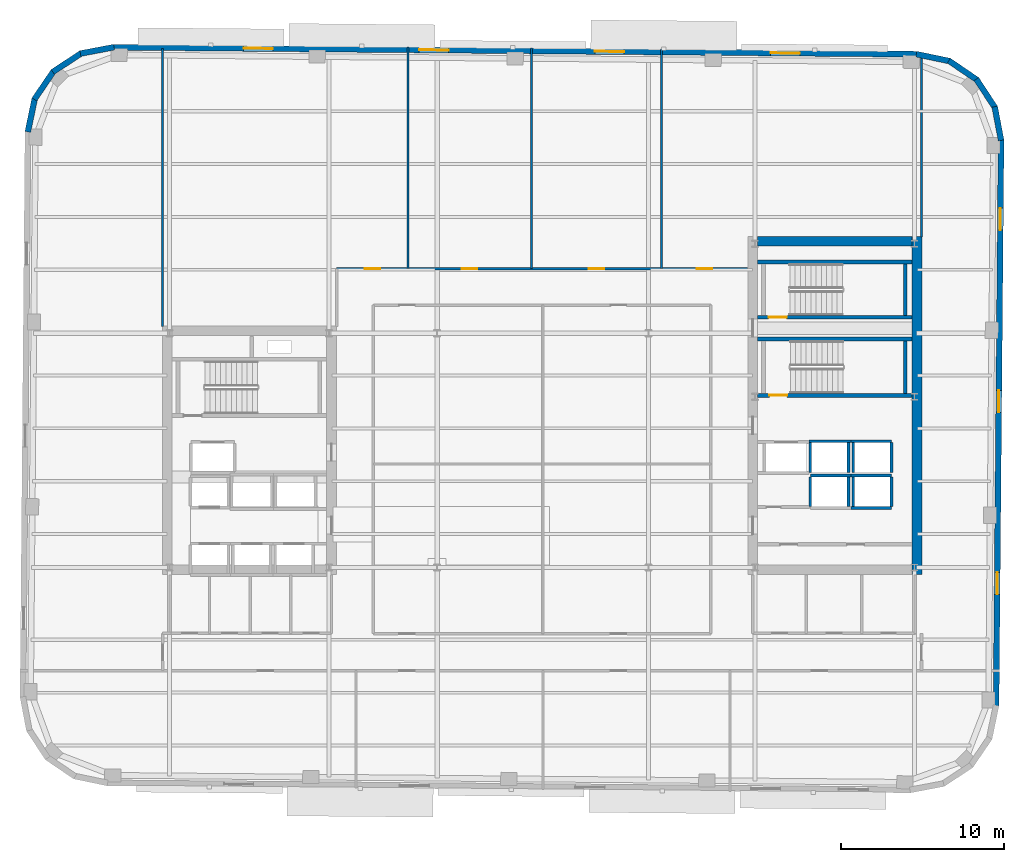
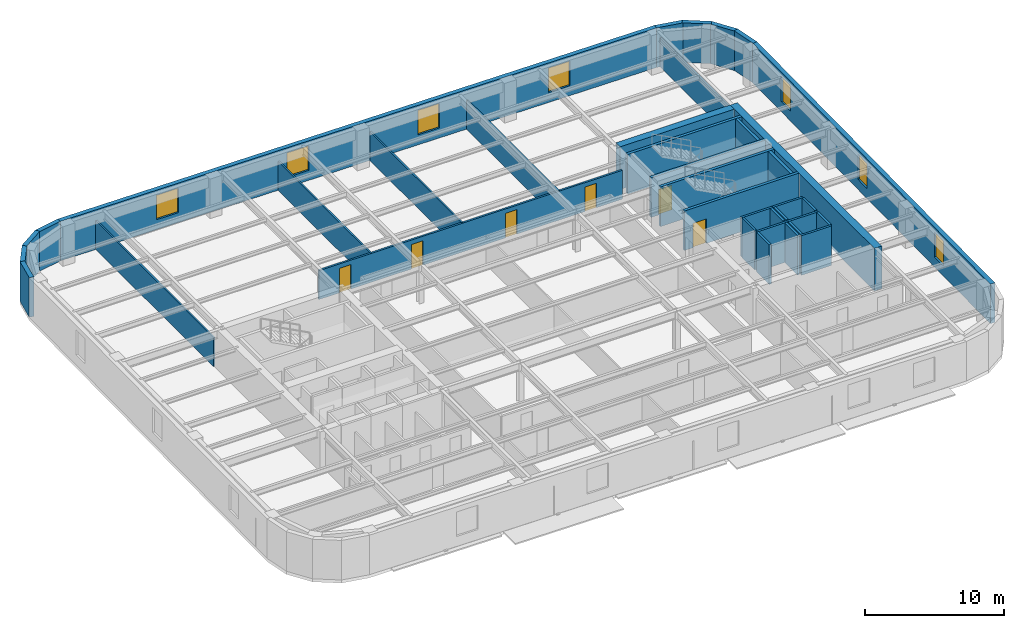
# One storey, part 6 of 11: 37 walls, 7 windows, 6 doors, 13 openings.
"""IFC4 building model written with IfcOpenShell, lengths in metres."""

from ifc_helpers import new_model, si_unit, direction, frame, frame_2d, origin, place, context, subcontext, project, spatial, rectangle, extrude, material, layer, layer_set, type_object, element, fill, save


model = new_model("IFC4")

# Units and contexts
model_context = context("Model", 3, precision=1e-05, world=origin(), true_north=direction((0.0, 1.0)))
body_context = subcontext(model_context, "Body", "Model", "MODEL_VIEW")
ifc_project = project(units=[si_unit("LENGTHUNIT", "METRE"), si_unit("AREAUNIT", "SQUARE_METRE"), si_unit("VOLUMEUNIT", "CUBIC_METRE"), si_unit("PLANEANGLEUNIT", "RADIAN"), si_unit("MASSUNIT", "GRAM", prefix="KILO")], contexts=[model_context])

# Site, building, storey
site_placement = place(None, origin())
site = spatial("IfcSite", under=ifc_project, at=site_placement, CompositionType="ELEMENT")
building_placement = place(site_placement, origin())
building = spatial("IfcBuilding", under=site, at=building_placement, Name="Kolvaren Arena Tower", CompositionType="ELEMENT")
storey_placement = place(building_placement, frame((0.0, 0.0, 203.449951171875)))
storey = spatial("IfcBuildingStorey", under=building, at=storey_placement, Name="L49", CompositionType="ELEMENT", Elevation=203.449951171875)

# Wall, openings, doors
ifc_material_1 = material(Name="Gypsum board acoustic assembly", Category="gypsum")
ifc_layer_1 = layer(ifc_material_1, 0.159912109375)
ifc_layer_set_1 = layer_set([ifc_layer_1], Name="Gypsum board acoustic assembly")
wall_type_1 = type_object("IfcWallType", Name="CORR-160", PredefinedType="PARTITIONING", material=ifc_layer_set_1)
wall_1_placement = place(storey_placement, frame((24.820068359375, 37.820068359375, 0.0), z_axis=(0.0, 0.0, 1.0), x_axis=(1.0, 0.0, 0.0)))
wall_1 = element("IfcWall", 1, at=wall_1_placement, inside=storey, type_object=wall_type_1, Name="Interior Partition Wall (L49)", PredefinedType="PARTITIONING", context=body_context, shape_type="SweptSolid", body=[
    extrude(rectangle(XDim=25.260009765625, YDim=0.159912109375, at=frame_2d((12.6298828125, 0.0))), origin(), (0.0, 0.0, 1.0), 2.5400390625),
])
opening_1_placement = place(wall_1_placement, frame((1.72998046875, 0.0, 0.0)))
opening_1 = element("IfcOpeningElement", 2, at=opening_1_placement, cuts=wall_1, Name="Opening D05", PredefinedType="OPENING", context=body_context, shape_type="SweptSolid", body=[
    extrude(rectangle(XDim=0.949951171875, YDim=2.14990234375, at=frame_2d((0.47509765625, 1.074951171875))), frame((0.0, 0.08984375, 0.0), z_axis=(0.0, -1.0, 0.0), x_axis=(1.0, 0.0, 0.0)), (0.0, 0.0, 1.0), 0.179931640625),
])
opening_2_placement = place(wall_1_placement, frame((7.705078125, 0.0, 0.0)))
opening_2 = element("IfcOpeningElement", 3, at=opening_2_placement, cuts=wall_1, Name="Opening D05", PredefinedType="OPENING", context=body_context, shape_type="SweptSolid", body=[
    extrude(rectangle(XDim=0.949951171875, YDim=2.14990234375, at=frame_2d((0.47509765625, 1.074951171875))), frame((0.0, 0.08984375, 0.0), z_axis=(0.0, -1.0, 0.0), x_axis=(1.0, 0.0, 0.0)), (0.0, 0.0, 1.0), 0.179931640625),
])
opening_3_placement = place(wall_1_placement, frame((15.5048828125, 0.0, 0.0)))
opening_3 = element("IfcOpeningElement", 4, at=opening_3_placement, cuts=wall_1, Name="Opening D05", PredefinedType="OPENING", context=body_context, shape_type="SweptSolid", body=[
    extrude(rectangle(XDim=0.949951171875, YDim=2.14990234375, at=frame_2d((0.47509765625, 1.074951171875))), frame((0.0, 0.08984375, 0.0), z_axis=(0.0, -1.0, 0.0), x_axis=(1.0, 0.0, 0.0)), (0.0, 0.0, 1.0), 0.179931640625),
])
opening_4_placement = place(wall_1_placement, frame((22.1298828125, 0.0, 0.0)))
opening_4 = element("IfcOpeningElement", 5, at=opening_4_placement, cuts=wall_1, Name="Opening D05", PredefinedType="OPENING", context=body_context, shape_type="SweptSolid", body=[
    extrude(rectangle(XDim=0.949951171875, YDim=2.14990234375, at=frame_2d((0.47509765625, 1.074951171875))), frame((0.0, 0.08984375, 0.0), z_axis=(0.0, -1.0, 0.0), x_axis=(1.0, 0.0, 0.0)), (0.0, 0.0, 1.0), 0.179931640625),
])
ifc_material_2 = material(Name="Solid-core oak acoustic office door", Category="wood")
door_type_1 = type_object("IfcDoorType", Name="DOOR-OF-095", OperationType="NOTDEFINED", PredefinedType="DOOR", material=ifc_material_2)
door_1_placement = place(opening_1_placement, origin())
door_1 = element("IfcDoor", 6, at=door_1_placement, inside=storey, type_object=door_type_1, Name="Corporate Project Office Door (L49)", OperationType="SINGLE_SWING_LEFT", OverallHeight=2.14990234375, OverallWidth=0.949951171875, PredefinedType="DOOR", context=body_context, shape_type="SweptSolid", body=[
    extrude(rectangle(XDim=0.949951171875, YDim=2.14990234375, at=frame_2d((0.47509765625, 1.074951171875))), frame((0.0, 0.02490234375, 0.0), z_axis=(0.0, -1.0, 0.0), x_axis=(1.0, 0.0, 0.0)), (0.0, 0.0, 1.0), 0.050048828125),
])
fill(opening_1, door_1)
door_2_placement = place(opening_2_placement, origin())
door_2 = element("IfcDoor", 7, at=door_2_placement, inside=storey, type_object=door_type_1, Name="Breakout Pantry and Kitchen Door (L49)", OperationType="SINGLE_SWING_RIGHT", OverallHeight=2.14990234375, OverallWidth=0.949951171875, PredefinedType="DOOR", context=body_context, shape_type="SweptSolid", body=[
    extrude(rectangle(XDim=0.949951171875, YDim=2.14990234375, at=frame_2d((0.47509765625, 1.074951171875))), frame((0.0, 0.02490234375, 0.0), z_axis=(0.0, -1.0, 0.0), x_axis=(1.0, 0.0, 0.0)), (0.0, 0.0, 1.0), 0.050048828125),
])
fill(opening_2, door_2)
door_3_placement = place(opening_3_placement, origin())
door_3 = element("IfcDoor", 8, at=door_3_placement, inside=storey, type_object=door_type_1, Name="Design Studio Door (L49)", OperationType="SINGLE_SWING_LEFT", OverallHeight=2.14990234375, OverallWidth=0.949951171875, PredefinedType="DOOR", context=body_context, shape_type="SweptSolid", body=[
    extrude(rectangle(XDim=0.949951171875, YDim=2.14990234375, at=frame_2d((0.47509765625, 1.074951171875))), frame((0.0, 0.02490234375, 0.0), z_axis=(0.0, -1.0, 0.0), x_axis=(1.0, 0.0, 0.0)), (0.0, 0.0, 1.0), 0.050048828125),
])
fill(opening_3, door_3)
door_4_placement = place(opening_4_placement, origin())
door_4 = element("IfcDoor", 9, at=door_4_placement, inside=storey, type_object=door_type_1, Name="Design Studio Door (L49)", OperationType="SINGLE_SWING_RIGHT", OverallHeight=2.14990234375, OverallWidth=0.949951171875, PredefinedType="DOOR", context=body_context, shape_type="SweptSolid", body=[
    extrude(rectangle(XDim=0.949951171875, YDim=2.14990234375, at=frame_2d((0.47509765625, 1.074951171875))), frame((0.0, 0.02490234375, 0.0), z_axis=(0.0, -1.0, 0.0), x_axis=(1.0, 0.0, 0.0)), (0.0, 0.0, 1.0), 0.050048828125),
])
fill(opening_4, door_4)

# Walls
ifc_material_3 = material(Name="Concrete 60 MPa", Category="concrete")
ifc_layer_2 = layer(ifc_material_3, 0.60009765625)
ifc_layer_set_2 = layer_set([ifc_layer_2], Name="Concrete 60 MPa")
wall_type_2 = type_object("IfcWallType", Name="CWALL-600", PredefinedType="SHEAR", material=ifc_layer_set_2)
wall_2_placement = place(storey_placement, frame((60.5, 19.0, -0.27001953125), z_axis=(0.0, 0.0, 1.0), x_axis=(0.0, 1.0, 0.0)))
element("IfcWall", 10, at=wall_2_placement, inside=storey, type_object=wall_type_2, Name="Core Shear Wall EC-EAST (L49)", PredefinedType="SHEAR", context=body_context, shape_type="SweptSolid", body=[
    extrude(rectangle(XDim=20.800048828125, YDim=0.60009765625, at=frame_2d((10.39990234375, 0.0))), origin(), (0.0, 0.0, 1.0), 3.75),
])
wall_3_placement = place(storey_placement, frame((50.699951171875, 39.5, -0.27001953125), z_axis=(0.0, 0.0, 1.0), x_axis=(1.0, 0.0, 0.0)))
element("IfcWall", 11, at=wall_3_placement, inside=storey, type_object=wall_type_2, Name="Core Shear Wall EC-NORTH (L49)", PredefinedType="SHEAR", context=body_context, shape_type="SweptSolid", body=[
    extrude(rectangle(XDim=9.5, YDim=0.60009765625, at=frame_2d((4.75, 0.0))), origin(), (0.0, 0.0, 1.0), 3.75),
])

# Wall, openings, windows
ifc_material_4 = material(Name="Precast concrete C50/60", Category="concrete")
ifc_layer_3 = layer(ifc_material_4, 0.360107421875)
ifc_layer_set_3 = layer_set([ifc_layer_3], Name="Precast concrete C50/60")
wall_type_3 = type_object("IfcWallType", Name="EXT-PIER2", PredefinedType="SOLIDWALL", material=ifc_layer_set_3)
wall_4_placement = place(storey_placement, frame((65.670654296875, 45.73828125, 0.0), z_axis=(0.0, 0.0, 1.0), x_axis=(-0.008727348535, -0.999961915969, 0.0)))
wall_4 = element("IfcWall", 12, at=wall_4_placement, inside=storey, type_object=wall_type_3, Name="Exterior Precast Masonry-Frame Wall (L49)", PredefinedType="SOLIDWALL", context=body_context, shape_type="SweptSolid", body=[
    extrude(rectangle(XDim=34.7998046875, YDim=0.360107421875, at=frame_2d((17.39990234375, 0.0))), origin(), (0.0, 0.0, 1.0), 3.47998046875),
])
opening_5_placement = place(wall_4_placement, frame((4.199951171875, 0.0, 0.8798828125)))
opening_5 = element("IfcOpeningElement", 13, at=opening_5_placement, cuts=wall_4, Name="Opening W04", PredefinedType="OPENING", context=body_context, shape_type="SweptSolid", body=[
    extrude(rectangle(XDim=1.35009765625, YDim=2.199951171875, at=frame_2d((0.675048828125, 1.10009765625))), frame((0.0, 0.18994140625, 0.0), z_axis=(0.0, -1.0, 0.0), x_axis=(1.0, 0.0, 0.0)), (0.0, 0.0, 1.0), 0.380126953125),
])
opening_6_placement = place(wall_4_placement, frame((15.39990234375, 0.0, 0.8798828125)))
opening_6 = element("IfcOpeningElement", 14, at=opening_6_placement, cuts=wall_4, Name="Opening W04", PredefinedType="OPENING", context=body_context, shape_type="SweptSolid", body=[
    extrude(rectangle(XDim=1.35009765625, YDim=2.199951171875, at=frame_2d((0.675048828125, 1.10009765625))), frame((0.0, 0.18994140625, 0.0), z_axis=(0.0, -1.0, 0.0), x_axis=(1.0, 0.0, 0.0)), (0.0, 0.0, 1.0), 0.380126953125),
])
opening_7_placement = place(wall_4_placement, frame((26.60009765625, 0.0, 0.8798828125)))
opening_7 = element("IfcOpeningElement", 15, at=opening_7_placement, cuts=wall_4, Name="Opening W04", PredefinedType="OPENING", context=body_context, shape_type="SweptSolid", body=[
    extrude(rectangle(XDim=1.35009765625, YDim=2.199951171875, at=frame_2d((0.675048828125, 1.10009765625))), frame((0.0, 0.18994140625, 0.0), z_axis=(0.0, -1.0, 0.0), x_axis=(1.0, 0.0, 0.0)), (0.0, 0.0, 1.0), 0.380126953125),
])
ifc_material_5 = material(Name="Triple-glazed curved-facet corner window", Category="glass")
window_type_1 = type_object("IfcWindowType", Name="WIN-CRN-A", PartitioningType="SINGLE_PANEL", PredefinedType="WINDOW", material=ifc_material_5)
window_1_placement = place(opening_5_placement, origin())
window_1 = element("IfcWindow", 16, at=window_1_placement, inside=storey, type_object=window_type_1, Name="End-Wall Punched Window (L49)", OverallHeight=2.199951171875, OverallWidth=1.35009765625, PartitioningType="SINGLE_PANEL", PredefinedType="WINDOW", context=body_context, shape_type="SweptSolid", body=[
    extrude(rectangle(XDim=1.35009765625, YDim=2.199951171875, at=frame_2d((0.675048828125, 1.10009765625))), frame((0.0, 0.030029296875, 0.0), z_axis=(0.0, -1.0, 0.0), x_axis=(1.0, 0.0, 0.0)), (0.0, 0.0, 1.0), 0.06005859375),
])
fill(opening_5, window_1)
window_2_placement = place(opening_6_placement, origin())
window_2 = element("IfcWindow", 17, at=window_2_placement, inside=storey, type_object=window_type_1, Name="End-Wall Punched Window (L49)", OverallHeight=2.199951171875, OverallWidth=1.35009765625, PartitioningType="SINGLE_PANEL", PredefinedType="WINDOW", context=body_context, shape_type="SweptSolid", body=[
    extrude(rectangle(XDim=1.35009765625, YDim=2.199951171875, at=frame_2d((0.675048828125, 1.10009765625))), frame((0.0, 0.030029296875, 0.0), z_axis=(0.0, -1.0, 0.0), x_axis=(1.0, 0.0, 0.0)), (0.0, 0.0, 1.0), 0.06005859375),
])
fill(opening_6, window_2)
window_3_placement = place(opening_7_placement, origin())
window_3 = element("IfcWindow", 18, at=window_3_placement, inside=storey, type_object=window_type_1, Name="End-Wall Punched Window (L49)", OverallHeight=2.199951171875, OverallWidth=1.35009765625, PartitioningType="SINGLE_PANEL", PredefinedType="WINDOW", context=body_context, shape_type="SweptSolid", body=[
    extrude(rectangle(XDim=1.35009765625, YDim=2.199951171875, at=frame_2d((0.675048828125, 1.10009765625))), frame((0.0, 0.030029296875, 0.0), z_axis=(0.0, -1.0, 0.0), x_axis=(1.0, 0.0, 0.0)), (0.0, 0.0, 1.0), 0.06005859375),
])
fill(opening_7, window_3)

# Walls
wall_5_placement = place(storey_placement, frame((65.281005859375, 47.773193359375, 0.0), z_axis=(0.0, 0.0, 1.0), x_axis=(0.186435855703, -0.98246713518, 0.0)))
element("IfcWall", 19, at=wall_5_placement, inside=storey, type_object=wall_type_3, Name="Exterior Precast Masonry-Frame Wall (L49)", PredefinedType="SOLIDWALL", context=body_context, shape_type="SweptSolid", body=[
    extrude(rectangle(XDim=2.10693359375, YDim=0.360107421875, at=frame_2d((1.053466796875, 0.0))), origin(), (0.0, 0.0, 1.0), 3.47998046875),
])
wall_6_placement = place(storey_placement, frame((64.152099609375, 49.469970703125, 0.0), z_axis=(0.0, 0.0, 1.0), x_axis=(0.548238722478, -0.83632188969, 0.0)))
element("IfcWall", 20, at=wall_6_placement, inside=storey, type_object=wall_type_3, Name="Exterior Precast Masonry-Frame Wall (L49)", PredefinedType="SOLIDWALL", context=body_context, shape_type="SweptSolid", body=[
    extrude(rectangle(XDim=2.106689453125, YDim=0.360107421875, at=frame_2d((1.05322265625, 0.0))), origin(), (0.0, 0.0, 1.0), 3.47998046875),
])
wall_7_placement = place(storey_placement, frame((62.45947265625, 50.605712890625, 0.0), z_axis=(0.0, 0.0, 1.0), x_axis=(0.826609569219, -0.56277581689, 0.0)))
element("IfcWall", 21, at=wall_7_placement, inside=storey, type_object=wall_type_3, Name="Exterior Precast Masonry-Frame Wall (L49)", PredefinedType="SOLIDWALL", context=body_context, shape_type="SweptSolid", body=[
    extrude(rectangle(XDim=2.10693359375, YDim=0.360107421875, at=frame_2d((1.053466796875, 0.0))), origin(), (0.0, 0.0, 1.0), 3.47998046875),
])
wall_8_placement = place(storey_placement, frame((60.461181640625, 51.00732421875, 0.0), z_axis=(0.0, 0.0, 1.0), x_axis=(0.979059388908, -0.203574833883, 0.0)))
element("IfcWall", 22, at=wall_8_placement, inside=storey, type_object=wall_type_3, Name="Exterior Precast Masonry-Frame Wall (L49)", PredefinedType="SOLIDWALL", context=body_context, shape_type="SweptSolid", body=[
    extrude(rectangle(XDim=2.107177734375, YDim=0.360107421875, at=frame_2d((1.0537109375, 0.0))), origin(), (0.0, 0.0, 1.0), 3.47998046875),
])

# Wall, openings, windows
wall_9_placement = place(storey_placement, frame((11.098388671875, 51.434814453125, 0.0), z_axis=(0.0, 0.0, 1.0), x_axis=(0.99996191194, -0.008727810138, 0.0)))
wall_9 = element("IfcWall", 23, at=wall_9_placement, inside=storey, type_object=wall_type_3, Name="Exterior Precast Masonry-Frame Wall (L49)", PredefinedType="SOLIDWALL", context=body_context, shape_type="SweptSolid", body=[
    extrude(rectangle(XDim=49.39990234375, YDim=0.360107421875, at=frame_2d((24.699951171875, 0.0))), origin(), (0.0, 0.0, 1.0), 3.47998046875),
])
opening_8_placement = place(wall_9_placement, frame((8.0, 0.0, 0.8798828125)))
opening_8 = element("IfcOpeningElement", 24, at=opening_8_placement, cuts=wall_9, Name="Opening W02", PredefinedType="OPENING", context=body_context, shape_type="SweptSolid", body=[
    extrude(rectangle(XDim=1.800048828125, YDim=2.14990234375, at=frame_2d((0.89990234375, 1.074951171875))), frame((0.0, 0.18994140625, 0.0), z_axis=(0.0, -1.0, 0.0), x_axis=(1.0, 0.0, 0.0)), (0.0, 0.0, 1.0), 0.380126953125),
])
opening_9_placement = place(wall_9_placement, frame((18.800048828125, 0.0, 0.8798828125)))
opening_9 = element("IfcOpeningElement", 25, at=opening_9_placement, cuts=wall_9, Name="Opening W02", PredefinedType="OPENING", context=body_context, shape_type="SweptSolid", body=[
    extrude(rectangle(XDim=1.800048828125, YDim=2.14990234375, at=frame_2d((0.89990234375, 1.074951171875))), frame((0.0, 0.18994140625, 0.0), z_axis=(0.0, -1.0, 0.0), x_axis=(1.0, 0.0, 0.0)), (0.0, 0.0, 1.0), 0.380126953125),
])
opening_10_placement = place(wall_9_placement, frame((29.60009765625, 0.0, 0.8798828125)))
opening_10 = element("IfcOpeningElement", 26, at=opening_10_placement, cuts=wall_9, Name="Opening W02", PredefinedType="OPENING", context=body_context, shape_type="SweptSolid", body=[
    extrude(rectangle(XDim=1.800048828125, YDim=2.14990234375, at=frame_2d((0.89990234375, 1.074951171875))), frame((0.0, 0.18994140625, 0.0), z_axis=(0.0, -1.0, 0.0), x_axis=(1.0, 0.0, 0.0)), (0.0, 0.0, 1.0), 0.380126953125),
])
opening_11_placement = place(wall_9_placement, frame((40.39990234375, 0.0, 0.8798828125)))
opening_11 = element("IfcOpeningElement", 27, at=opening_11_placement, cuts=wall_9, Name="Opening W02", PredefinedType="OPENING", context=body_context, shape_type="SweptSolid", body=[
    extrude(rectangle(XDim=1.800048828125, YDim=2.14990234375, at=frame_2d((0.89990234375, 1.074951171875))), frame((0.0, 0.18994140625, 0.0), z_axis=(0.0, -1.0, 0.0), x_axis=(1.0, 0.0, 0.0)), (0.0, 0.0, 1.0), 0.380126953125),
])
ifc_material_6 = material(Name="Triple-glazed low-E aluminium window", Category="aluminium")
window_type_2 = type_object("IfcWindowType", Name="WIN-OFF-B", PartitioningType="DOUBLE_PANEL_VERTICAL", PredefinedType="WINDOW", material=ifc_material_6)
window_4_placement = place(opening_8_placement, origin())
window_4 = element("IfcWindow", 28, at=window_4_placement, inside=storey, type_object=window_type_2, Name="Punched Precast-Pier Window (L49)", OverallHeight=2.14990234375, OverallWidth=1.800048828125, PartitioningType="DOUBLE_PANEL_VERTICAL", PredefinedType="WINDOW", context=body_context, shape_type="SweptSolid", body=[
    extrude(rectangle(XDim=1.800048828125, YDim=2.14990234375, at=frame_2d((0.89990234375, 1.074951171875))), frame((0.0, 0.030029296875, 0.0), z_axis=(0.0, -1.0, 0.0), x_axis=(1.0, 0.0, 0.0)), (0.0, 0.0, 1.0), 0.06005859375),
])
fill(opening_8, window_4)
window_5_placement = place(opening_9_placement, origin())
window_5 = element("IfcWindow", 29, at=window_5_placement, inside=storey, type_object=window_type_2, Name="Punched Precast-Pier Window (L49)", OverallHeight=2.14990234375, OverallWidth=1.800048828125, PartitioningType="DOUBLE_PANEL_VERTICAL", PredefinedType="WINDOW", context=body_context, shape_type="SweptSolid", body=[
    extrude(rectangle(XDim=1.800048828125, YDim=2.14990234375, at=frame_2d((0.89990234375, 1.074951171875))), frame((0.0, 0.030029296875, 0.0), z_axis=(0.0, -1.0, 0.0), x_axis=(1.0, 0.0, 0.0)), (0.0, 0.0, 1.0), 0.06005859375),
])
fill(opening_9, window_5)
window_6_placement = place(opening_10_placement, origin())
window_6 = element("IfcWindow", 30, at=window_6_placement, inside=storey, type_object=window_type_2, Name="Punched Precast-Pier Window (L49)", OverallHeight=2.14990234375, OverallWidth=1.800048828125, PartitioningType="DOUBLE_PANEL_VERTICAL", PredefinedType="WINDOW", context=body_context, shape_type="SweptSolid", body=[
    extrude(rectangle(XDim=1.800048828125, YDim=2.14990234375, at=frame_2d((0.89990234375, 1.074951171875))), frame((0.0, 0.030029296875, 0.0), z_axis=(0.0, -1.0, 0.0), x_axis=(1.0, 0.0, 0.0)), (0.0, 0.0, 1.0), 0.06005859375),
])
fill(opening_10, window_6)
window_7_placement = place(opening_11_placement, origin())
window_7 = element("IfcWindow", 31, at=window_7_placement, inside=storey, type_object=window_type_2, Name="Punched Precast-Pier Window (L49)", OverallHeight=2.14990234375, OverallWidth=1.800048828125, PartitioningType="DOUBLE_PANEL_VERTICAL", PredefinedType="WINDOW", context=body_context, shape_type="SweptSolid", body=[
    extrude(rectangle(XDim=1.800048828125, YDim=2.14990234375, at=frame_2d((0.89990234375, 1.074951171875))), frame((0.0, 0.030029296875, 0.0), z_axis=(0.0, -1.0, 0.0), x_axis=(1.0, 0.0, 0.0)), (0.0, 0.0, 1.0), 0.06005859375),
])
fill(opening_11, window_7)

# Walls
wall_10_placement = place(storey_placement, frame((9.0634765625, 51.044921875, 0.0), z_axis=(0.0, 0.0, 1.0), x_axis=(0.982445905584, 0.186547695246, 0.0)))
element("IfcWall", 32, at=wall_10_placement, inside=storey, type_object=wall_type_3, Name="Exterior Precast Masonry-Frame Wall (L49)", PredefinedType="SOLIDWALL", context=body_context, shape_type="SweptSolid", body=[
    extrude(rectangle(XDim=2.107177734375, YDim=0.360107421875, at=frame_2d((1.0537109375, 0.0))), origin(), (0.0, 0.0, 1.0), 3.47998046875),
])
for number, where, z_axis, x_axis, name in (
    (33, (7.36669921875, 49.916015625, 0.0), (0.0, 0.0, 1.0), (0.836268756678, 0.548319766745, 0.0), "Exterior Precast Masonry-Frame Wall (L49)"),
    (34, (6.23095703125, 48.223388671875, 0.0), (0.0, 0.0, 1.0), (0.56277581689, 0.826609569219, 0.0), "Exterior Precast Masonry-Frame Wall (L49)"),
    (35, (5.8291015625, 46.225341796875, 0.0), (0.0, 0.0, 1.0), (0.203709000552, 0.979031482177, 0.0), "Exterior Precast Masonry-Frame Wall (L49)"),
):
    element("IfcWall", number, at=place(storey_placement, frame(where, z_axis=z_axis, x_axis=x_axis)), inside=storey, type_object=wall_type_3, Name=name, PredefinedType="SOLIDWALL", context=body_context, shape_type="SweptSolid", body=[
        extrude(rectangle(XDim=2.10693359375, YDim=0.360107421875, at=frame_2d((1.053466796875, 0.0))), origin(), (0.0, 0.0, 1.0), 3.47998046875),
    ])
ifc_material_7 = material(Name="Gypsum board partition assembly", Category="gypsum")
ifc_layer_4 = layer(ifc_material_7, 0.135009765625)
ifc_layer_set_4 = layer_set([ifc_layer_4], Name="Gypsum board partition assembly")
wall_type_4 = type_object("IfcWallType", Name="PART-135", PredefinedType="PARTITIONING", material=ifc_layer_set_4)
wall_11_placement = place(storey_placement, frame((29.199951171875, 37.820068359375, 0.0), z_axis=(0.0, 0.0, 1.0), x_axis=(0.0, 1.0, 0.0)))
element("IfcWall", 36, at=wall_11_placement, inside=storey, type_object=wall_type_4, Name="Interior Partition Wall (L49)", PredefinedType="PARTITIONING", context=body_context, shape_type="SweptSolid", body=[
    extrude(rectangle(XDim=13.63671875, YDim=0.135009765625, at=frame_2d((6.818359375, 0.0))), origin(), (0.0, 0.0, 1.0), 2.5400390625),
])
wall_12_placement = place(storey_placement, frame((36.800048828125, 37.820068359375, 0.0), z_axis=(0.0, 0.0, 1.0), x_axis=(0.0, 1.0, 0.0)))
element("IfcWall", 37, at=wall_12_placement, inside=storey, type_object=wall_type_4, Name="Interior Partition Wall (L49)", PredefinedType="PARTITIONING", context=body_context, shape_type="SweptSolid", body=[
    extrude(rectangle(XDim=13.5703125, YDim=0.135009765625, at=frame_2d((6.78515625, 0.0))), origin(), (0.0, 0.0, 1.0), 2.5400390625),
])
wall_13_placement = place(storey_placement, frame((44.800048828125, 37.820068359375, 0.0), z_axis=(0.0, 0.0, 1.0), x_axis=(0.0, 1.0, 0.0)))
element("IfcWall", 38, at=wall_13_placement, inside=storey, type_object=wall_type_4, Name="Interior Partition Wall (L49)", PredefinedType="PARTITIONING", context=body_context, shape_type="SweptSolid", body=[
    extrude(rectangle(XDim=13.50048828125, YDim=0.135009765625, at=frame_2d((6.750244140625, 0.0))), origin(), (0.0, 0.0, 1.0), 2.5400390625),
])
wall_14_placement = place(storey_placement, frame((14.1201171875, 34.25, 0.0), z_axis=(0.0, 0.0, 1.0), x_axis=(0.0, 1.0, 0.0)))
element("IfcWall", 39, at=wall_14_placement, inside=storey, type_object=wall_type_4, Name="Interior Partition Wall (L49)", PredefinedType="PARTITIONING", context=body_context, shape_type="SweptSolid", body=[
    extrude(rectangle(XDim=17.098388671875, YDim=0.135009765625, at=frame_2d((8.54931640625, 0.0))), origin(), (0.0, 0.0, 1.0), 2.5400390625),
])
wall_15_placement = place(storey_placement, frame((60.780029296875, 39.75, 0.0), z_axis=(0.0, 0.0, 1.0), x_axis=(0.0, 1.0, 0.0)))
element("IfcWall", 40, at=wall_15_placement, inside=storey, type_object=wall_type_4, Name="Interior Partition Wall (L49)", PredefinedType="PARTITIONING", context=body_context, shape_type="SweptSolid", body=[
    extrude(rectangle(XDim=11.1298828125, YDim=0.135009765625, at=frame_2d((5.56494140625, 0.0))), origin(), (0.0, 0.0, 1.0), 2.5400390625),
])

# Wall, opening, door
ifc_material_8 = material(Name="Concrete 45 MPa", Category="concrete")
ifc_layer_5 = layer(ifc_material_8, 0.25)
ifc_layer_set_5 = layer_set([ifc_layer_5], Name="Concrete 45 MPa")
wall_type_5 = type_object("IfcWallType", Name="SHAFT-250", PredefinedType="SOLIDWALL", material=ifc_layer_set_5)
wall_16_placement = place(storey_placement, frame((60.199951171875, 30.030029296875, 0.0), z_axis=(0.0, 0.0, 1.0), x_axis=(-1.0, 0.0, 0.0)))
wall_16 = element("IfcWall", 41, at=wall_16_placement, inside=storey, type_object=wall_type_5, Name="Core Shaft Wall (L49)", PredefinedType="SOLIDWALL", context=body_context, shape_type="SweptSolid", body=[
    extrude(rectangle(XDim=9.5, YDim=0.239990234375, at=frame_2d((4.75, 0.0))), origin(), (0.0, 0.0, 1.0), 3.47998046875),
])
opening_12_placement = place(wall_16_placement, frame((7.679931640625, 0.0, 0.0)))
opening_12 = element("IfcOpeningElement", 42, at=opening_12_placement, cuts=wall_16, Name="Opening D03", PredefinedType="OPENING", context=body_context, shape_type="SweptSolid", body=[
    extrude(rectangle(XDim=1.10009765625, YDim=2.14990234375, at=frame_2d((0.550048828125, 1.074951171875))), frame((0.0, 0.1298828125, 0.0), z_axis=(0.0, -1.0, 0.0), x_axis=(1.0, 0.0, 0.0)), (0.0, 0.0, 1.0), 0.260009765625),
])
ifc_material_9 = material(Name="Fire-rated steel exit stair door", Category="steel")
door_type_2 = type_object("IfcDoorType", Name="DOOR-ST-110", OperationType="NOTDEFINED", PredefinedType="DOOR", material=ifc_material_9)
door_5_placement = place(opening_12_placement, origin())
door_5 = element("IfcDoor", 43, at=door_5_placement, inside=storey, type_object=door_type_2, Name="Stair ST-E1 Fire Door (L49)", OperationType="SINGLE_SWING_LEFT", OverallHeight=2.14990234375, OverallWidth=1.10009765625, PredefinedType="DOOR", context=body_context, shape_type="SweptSolid", body=[
    extrude(rectangle(XDim=1.10009765625, YDim=2.14990234375, at=frame_2d((0.550048828125, 1.074951171875))), frame((0.0, 0.02490234375, 0.0), z_axis=(0.0, -1.0, 0.0), x_axis=(1.0, 0.0, 0.0)), (0.0, 0.0, 1.0), 0.050048828125),
])
fill(opening_12, door_5)

# Walls
wall_17_placement = place(storey_placement, frame((50.699951171875, 33.5, 0.0), z_axis=(0.0, 0.0, 1.0), x_axis=(1.0, 0.0, 0.0)))
element("IfcWall", 44, at=wall_17_placement, inside=storey, type_object=wall_type_5, Name="Core Shaft Wall (L49)", PredefinedType="SOLIDWALL", context=body_context, shape_type="SweptSolid", body=[
    extrude(rectangle(XDim=9.5, YDim=0.239990234375, at=frame_2d((4.75, 0.0))), origin(), (0.0, 0.0, 1.0), 3.47998046875),
])
wall_18_placement = place(storey_placement, frame((59.780029296875, 30.14990234375, 0.0), z_axis=(0.0, 0.0, 1.0), x_axis=(0.0, 1.0, 0.0)))
element("IfcWall", 45, at=wall_18_placement, inside=storey, type_object=wall_type_5, Name="Core Shaft Wall (L49)", PredefinedType="SOLIDWALL", context=body_context, shape_type="SweptSolid", body=[
    extrude(rectangle(XDim=3.22998046875, YDim=0.239990234375, at=frame_2d((1.614990234375, 0.0))), origin(), (0.0, 0.0, 1.0), 3.47998046875),
])

# Wall, opening, door
wall_19_placement = place(storey_placement, frame((60.199951171875, 34.830078125, 0.0), z_axis=(0.0, 0.0, 1.0), x_axis=(-1.0, 0.0, 0.0)))
wall_19 = element("IfcWall", 46, at=wall_19_placement, inside=storey, type_object=wall_type_5, Name="Core Shaft Wall (L49)", PredefinedType="SOLIDWALL", context=body_context, shape_type="SweptSolid", body=[
    extrude(rectangle(XDim=9.5, YDim=0.239990234375, at=frame_2d((4.75, 0.0))), origin(), (0.0, 0.0, 1.0), 3.47998046875),
])
opening_13_placement = place(wall_19_placement, frame((7.719970703125, 0.0, 0.0)))
opening_13 = element("IfcOpeningElement", 47, at=opening_13_placement, cuts=wall_19, Name="Opening D03", PredefinedType="OPENING", context=body_context, shape_type="SweptSolid", body=[
    extrude(rectangle(XDim=1.10009765625, YDim=2.14990234375, at=frame_2d((0.550048828125, 1.074951171875))), frame((0.0, 0.1298828125, 0.0), z_axis=(0.0, -1.0, 0.0), x_axis=(1.0, 0.0, 0.0)), (0.0, 0.0, 1.0), 0.260009765625),
])
door_6_placement = place(opening_13_placement, origin())
door_6 = element("IfcDoor", 48, at=door_6_placement, inside=storey, type_object=door_type_2, Name="Stair ST-E2 Fire Door (L49)", OperationType="SINGLE_SWING_LEFT", OverallHeight=2.14990234375, OverallWidth=1.10009765625, PredefinedType="DOOR", context=body_context, shape_type="SweptSolid", body=[
    extrude(rectangle(XDim=1.10009765625, YDim=2.14990234375, at=frame_2d((0.550048828125, 1.074951171875))), frame((0.0, 0.02490234375, 0.0), z_axis=(0.0, -1.0, 0.0), x_axis=(1.0, 0.0, 0.0)), (0.0, 0.0, 1.0), 0.050048828125),
])
fill(opening_13, door_6)

# Walls
wall_20_placement = place(storey_placement, frame((50.699951171875, 38.219970703125, 0.0), z_axis=(0.0, 0.0, 1.0), x_axis=(1.0, 0.0, 0.0)))
element("IfcWall", 49, at=wall_20_placement, inside=storey, type_object=wall_type_5, Name="Core Shaft Wall (L49)", PredefinedType="SOLIDWALL", context=body_context, shape_type="SweptSolid", body=[
    extrude(rectangle(XDim=9.5, YDim=0.239990234375, at=frame_2d((4.75, 0.0))), origin(), (0.0, 0.0, 1.0), 3.47998046875),
])
wall_21_placement = place(storey_placement, frame((59.780029296875, 34.949951171875, 0.0), z_axis=(0.0, 0.0, 1.0), x_axis=(0.0, 1.0, 0.0)))
element("IfcWall", 50, at=wall_21_placement, inside=storey, type_object=wall_type_5, Name="Core Shaft Wall (L49)", PredefinedType="SOLIDWALL", context=body_context, shape_type="SweptSolid", body=[
    extrude(rectangle(XDim=3.150146484375, YDim=0.239990234375, at=frame_2d((1.5751953125, 0.0))), origin(), (0.0, 0.0, 1.0), 3.47998046875),
])
wall_22_placement = place(storey_placement, frame((53.93994140625, 25.10498046875, 0.0), z_axis=(0.0, 0.0, 1.0), x_axis=(1.0, 0.0, 0.0)))
element("IfcWall", 51, at=wall_22_placement, inside=storey, type_object=wall_type_5, Name="Core Shaft Wall (L49)", PredefinedType="SOLIDWALL", context=body_context, shape_type="SweptSolid", body=[
    extrude(rectangle(XDim=2.5, YDim=0.179931640625, at=frame_2d((1.25, 0.0))), origin(), (0.0, 0.0, 1.0), 3.47998046875),
])
for number, where, z_axis, x_axis, name in (
    (52, (53.93994140625, 23.18505859375, 0.0), (0.0, 0.0, 1.0), (0.0, 1.0, 0.0), "Core Shaft Wall (L49)"),
    (53, (56.300048828125, 23.18505859375, 0.0), (0.0, 0.0, 1.0), (0.0, 1.0, 0.0), "Core Shaft Wall (L49)"),
):
    element("IfcWall", number, at=place(storey_placement, frame(where, z_axis=z_axis, x_axis=x_axis)), inside=storey, type_object=wall_type_5, Name=name, PredefinedType="SOLIDWALL", context=body_context, shape_type="SweptSolid", body=[
        extrude(rectangle(XDim=1.829833984375, YDim=0.179931640625, at=frame_2d((0.9150390625, 0.0))), origin(), (0.0, 0.0, 1.0), 3.47998046875),
    ])
for number, where, z_axis, x_axis, name in (
    (54, (56.43994140625, 25.10498046875, 0.0), (0.0, 0.0, 1.0), (1.0, 0.0, 0.0), "Core Shaft Wall (L49)"),
    (55, (56.43994140625, 23.094970703125, 0.0), (0.0, 0.0, 1.0), (1.0, 0.0, 0.0), "Core Shaft Wall (L49)"),
):
    element("IfcWall", number, at=place(storey_placement, frame(where, z_axis=z_axis, x_axis=x_axis)), inside=storey, type_object=wall_type_5, Name=name, PredefinedType="SOLIDWALL", context=body_context, shape_type="SweptSolid", body=[
        extrude(rectangle(XDim=2.5, YDim=0.179931640625, at=frame_2d((1.25, 0.0))), origin(), (0.0, 0.0, 1.0), 3.47998046875),
    ])
for number, where, z_axis, x_axis, name in (
    (56, (56.580078125, 23.18505859375, 0.0), (0.0, 0.0, 1.0), (0.0, 1.0, 0.0), "Core Shaft Wall (L49)"),
    (57, (58.93994140625, 23.18505859375, 0.0), (0.0, 0.0, 1.0), (0.0, 1.0, 0.0), "Core Shaft Wall (L49)"),
):
    element("IfcWall", number, at=place(storey_placement, frame(where, z_axis=z_axis, x_axis=x_axis)), inside=storey, type_object=wall_type_5, Name=name, PredefinedType="SOLIDWALL", context=body_context, shape_type="SweptSolid", body=[
        extrude(rectangle(XDim=1.829833984375, YDim=0.179931640625, at=frame_2d((0.9150390625, 0.0))), origin(), (0.0, 0.0, 1.0), 3.47998046875),
    ])
wall_23_placement = place(storey_placement, frame((53.864990234375, 27.205078125, 0.0), z_axis=(0.0, 0.0, 1.0), x_axis=(1.0, 0.0, 0.0)))
element("IfcWall", 58, at=wall_23_placement, inside=storey, type_object=wall_type_5, Name="Core Shaft Wall (L49)", PredefinedType="SOLIDWALL", context=body_context, shape_type="SweptSolid", body=[
    extrude(rectangle(XDim=2.574951171875, YDim=0.179931640625, at=frame_2d((1.28759765625, 0.0))), origin(), (0.0, 0.0, 1.0), 3.47998046875),
])
for number, where, z_axis, x_axis, name in (
    (59, (53.93994140625, 25.284912109375, 0.0), (0.0, 0.0, 1.0), (0.0, 1.0, 0.0), "Core Shaft Wall (L49)"),
    (60, (56.300048828125, 25.284912109375, 0.0), (0.0, 0.0, 1.0), (0.0, 1.0, 0.0), "Core Shaft Wall (L49)"),
):
    element("IfcWall", number, at=place(storey_placement, frame(where, z_axis=z_axis, x_axis=x_axis)), inside=storey, type_object=wall_type_5, Name=name, PredefinedType="SOLIDWALL", context=body_context, shape_type="SweptSolid", body=[
        extrude(rectangle(XDim=1.830078125, YDim=0.179931640625, at=frame_2d((0.9150390625, 0.0))), origin(), (0.0, 0.0, 1.0), 3.47998046875),
    ])
wall_24_placement = place(storey_placement, frame((56.43994140625, 27.205078125, 0.0), z_axis=(0.0, 0.0, 1.0), x_axis=(1.0, 0.0, 0.0)))
element("IfcWall", 61, at=wall_24_placement, inside=storey, type_object=wall_type_5, Name="Core Shaft Wall (L49)", PredefinedType="SOLIDWALL", context=body_context, shape_type="SweptSolid", body=[
    extrude(rectangle(XDim=2.5, YDim=0.179931640625, at=frame_2d((1.25, 0.0))), origin(), (0.0, 0.0, 1.0), 3.47998046875),
])
for number, where, z_axis, x_axis, name in (
    (62, (56.580078125, 25.284912109375, 0.0), (0.0, 0.0, 1.0), (0.0, 1.0, 0.0), "Core Shaft Wall (L49)"),
    (63, (58.93994140625, 25.284912109375, 0.0), (0.0, 0.0, 1.0), (0.0, 1.0, 0.0), "Core Shaft Wall (L49)"),
):
    element("IfcWall", number, at=place(storey_placement, frame(where, z_axis=z_axis, x_axis=x_axis)), inside=storey, type_object=wall_type_5, Name=name, PredefinedType="SOLIDWALL", context=body_context, shape_type="SweptSolid", body=[
        extrude(rectangle(XDim=1.830078125, YDim=0.179931640625, at=frame_2d((0.9150390625, 0.0))), origin(), (0.0, 0.0, 1.0), 3.47998046875),
    ])

save(model, "model.ifc")
